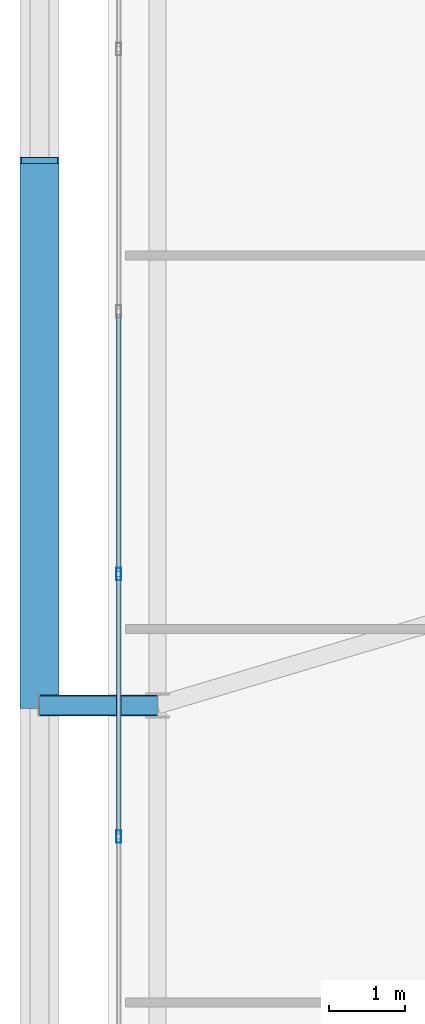
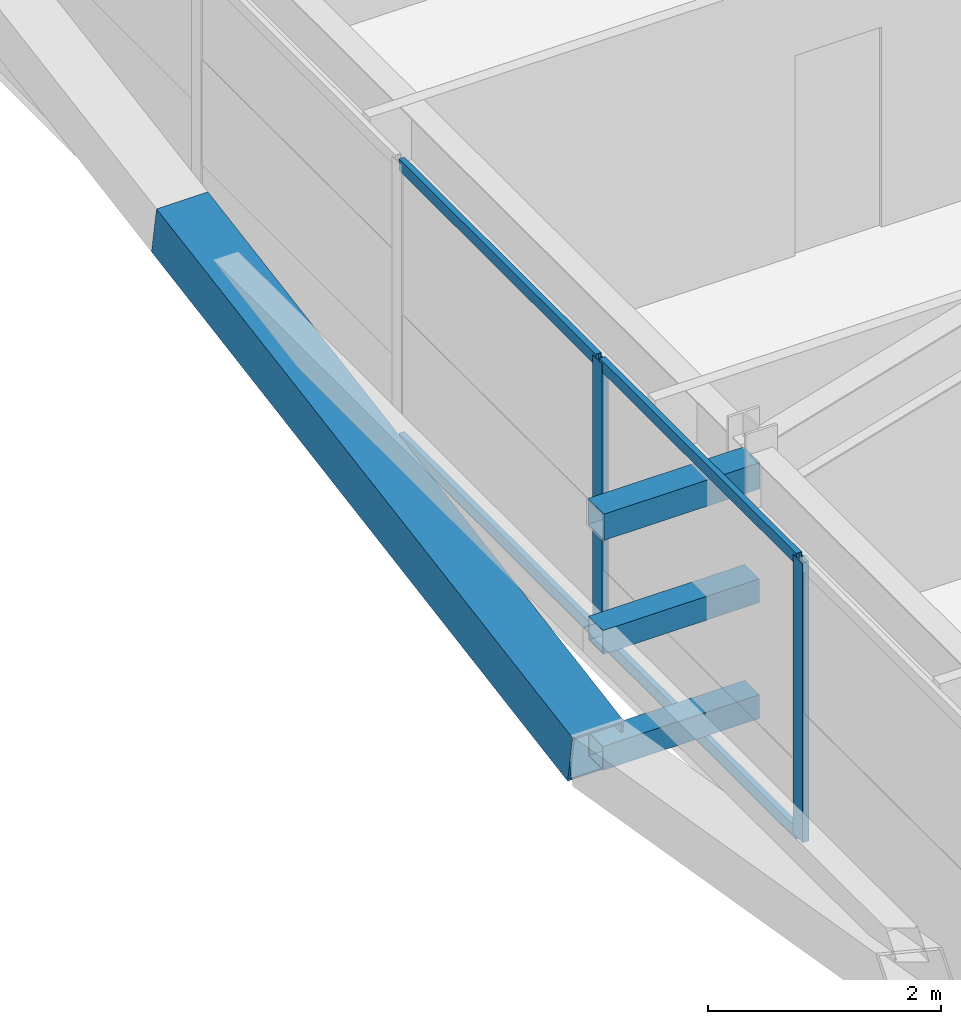
# One storey, part 14 of 58: 10 members, 1 element without a shape of its own.
"""IFC4 building model written with IfcOpenShell, lengths in metres."""

from ifc_helpers import new_model, si_unit, direction, frame, origin, origin_2d, place, context, subcontext, project, spatial, hollow_rectangle, extrude, source, transform, mapped, material, layer, layer_set, material_profile, profile_set, type_object, element, aggregate, save


model = new_model("IFC4")

# Units and contexts
model_context = context("Model", 3, precision=1e-05, world=origin(), true_north=direction((0.0, 1.0)))
body_context = subcontext(model_context, "Body", "Model", "MODEL_VIEW")
ifc_project = project(units=[si_unit("LENGTHUNIT", "METRE"), si_unit("AREAUNIT", "SQUARE_METRE"), si_unit("VOLUMEUNIT", "CUBIC_METRE"), si_unit("PLANEANGLEUNIT", "RADIAN"), si_unit("MASSUNIT", "GRAM", prefix="KILO")], contexts=[model_context])

# Site, building, storey
site_placement = place(None, origin())
site = spatial("IfcSite", under=ifc_project, at=site_placement, CompositionType="ELEMENT")
building_placement = place(site_placement, origin())
building = spatial("IfcBuilding", under=site, at=building_placement, Name="Taldren Reach Tower", CompositionType="ELEMENT")
storey_placement = place(building_placement, frame((0.0, 0.0, 32.550048828125)))
storey = spatial("IfcBuildingStorey", under=building, at=storey_placement, Name="L09", CompositionType="ELEMENT", Elevation=32.550048828125)

# Members
ifc_material_1 = material(Name="Steel Gr 450 (C450L0)", Category="steel")
ifc_material_profile_1 = material_profile(ifc_material_1, hollow_rectangle(XDim=0.27490234375, YDim=0.27490234375, WallThickness=0.00927734375, at=origin_2d()), Name="275x275x9.3SHS")
ifc_profile_set_1 = profile_set([ifc_material_profile_1], Name="Steel Gr 450 (C450L0)")
member_type_1 = type_object("IfcMemberType", Name="MB-TIE273", PredefinedType="STRUT", material=ifc_profile_set_1)
shared_shape_1 = source(origin(), body_context, "Body", "SweptSolid", [
    extrude(hollow_rectangle(XDim=0.27490234375, YDim=0.27490234375, WallThickness=0.00927734375, at=origin_2d()), origin(), (0.0, 0.0, 1.0), 1.5498046875),
])
member_1_placement = place(storey_placement, frame((5.64990234375, 20.0, 2.64990234375), z_axis=(-1.0, 0.0, 0.0), x_axis=(0.0, -1.0, 0.0)))
element("IfcMember", 1, at=member_1_placement, inside=storey, type_object=member_type_1, Name="Exoskeleton diaphragm tie strut B1-W2 L09", PredefinedType="STRUT", context=body_context, shape_type="MappedRepresentation", body=[
    mapped(shared_shape_1, transform((0.0, 0.0, 0.0), scale=1.0)),
])
ifc_material_2 = material(Name="Steel Gr 350 (C350L0)", Category="steel")
ifc_material_profile_2 = material_profile(ifc_material_2, hollow_rectangle(XDim=0.25, YDim=0.25, WallThickness=0.010009765625, at=origin_2d()), Name="250x250x10.0SHS")
ifc_profile_set_2 = profile_set([ifc_material_profile_2], Name="Steel Gr 350 (C350L0)")
member_type_2 = type_object("IfcMemberType", Name="MB-POST250", PredefinedType="POST", material=ifc_profile_set_2)
shared_shape_2 = source(origin(), body_context, "Body", "SweptSolid", [
    extrude(hollow_rectangle(XDim=0.25, YDim=0.25, WallThickness=0.010009765625, at=origin_2d()), origin(), (0.0, 0.0, 1.0), 1.5498046875),
])
for number, where, z_axis, x_axis, name in (
    (2, (5.64990234375, 20.0, 0.219970703125), (-1.0, 0.0, 0.0), (0.0, -1.0, 0.0), "Exoskeleton base diaphragm tie strut B1-W2 L09"),
    (3, (5.64990234375, 20.0, 1.43505859375), (-1.0, 0.0, 0.0), (0.0, -1.0, 0.0), "Exoskeleton mid-tier diaphragm tie B1-W2 L09"),
):
    element("IfcMember", number, at=place(storey_placement, frame(where, z_axis=z_axis, x_axis=x_axis)), inside=storey, type_object=member_type_2, Name=name, PredefinedType="POST", context=body_context, shape_type="MappedRepresentation", body=[
        mapped(shared_shape_2, transform((0.0, 0.0, 0.0), scale=1.0)),
    ])
ifc_material_profile_3 = material_profile(ifc_material_1, hollow_rectangle(XDim=0.510009765625, YDim=0.510009765625, WallThickness=0.02001953125, at=origin_2d()), Name="510x510x20.0SHS")
ifc_profile_set_3 = profile_set([ifc_material_profile_3], Name="Steel Gr 450 (C450L0)")
member_type_3 = type_object("IfcMemberType", Name="MB-EXO508", PredefinedType="BRACE", material=ifc_profile_set_3)
shared_shape_3 = source(origin(), body_context, "Body", "SweptSolid", [
    extrude(hollow_rectangle(XDim=0.510009765625, YDim=0.510009765625, WallThickness=0.02001953125, at=origin_2d()), origin(), (0.0, 0.0, 1.0), 7.25244140625),
])
member_2_placement = place(storey_placement, frame((4.10009765625, 20.0, 0.219970703125), z_axis=(0.0, 0.985864855729, 0.167542490848), x_axis=(-1.0, 0.0, 0.0)))
element("IfcMember", 4, at=member_2_placement, inside=storey, type_object=member_type_3, Name="Exoskeleton Diagrid Brace B1-W2 L09", PredefinedType="BRACE", context=body_context, shape_type="MappedRepresentation", body=[
    mapped(shared_shape_3, transform((0.0, 0.0, 0.0), scale=1.0)),
])

# Curtain wall, members
ifc_material_3 = material(Name="Aluminium and Low-E Glass Unitised System", Category="aluminium")
ifc_layer = layer(ifc_material_3, 0.159912109375)
ifc_layer_set = layer_set([ifc_layer], Name="Aluminium and Low-E Glass Unitised System")
curtain_wall_type = type_object("IfcCurtainWallType", Name="CW-SYS-2", PredefinedType="NOTDEFINED", material=ifc_layer_set)
curtain_wall_placement = place(storey_placement, origin())
curtain_wall = element("IfcCurtainWall", 5, at=curtain_wall_placement, inside=storey, type_object=curtain_wall_type, Name="Unitised curtain wall CW-L09-W", PredefinedType="NOTDEFINED")
ifc_material_4 = material(Name="Anodised Aluminium 6063-T6", Category="aluminium")
ifc_material_profile_4 = material_profile(ifc_material_4, hollow_rectangle(XDim=0.06494140625, YDim=0.1650390625, WallThickness=0.00390625, at=origin_2d()), Name="ALU-165x65x4RHS")
ifc_profile_set_4 = profile_set([ifc_material_profile_4], Name="Anodised Aluminium 6063-T6")
member_type_4 = type_object("IfcMemberType", Name="CW-MUL-165", PredefinedType="MULLION", material=ifc_profile_set_4)
shared_shape_4 = source(origin(), body_context, "Body", "SweptSolid", [
    extrude(hollow_rectangle(XDim=0.06494140625, YDim=0.1650390625, WallThickness=0.00390625, at=origin_2d()), origin(), (0.0, 0.0, 1.0), 2.929931640625),
])
member_3_placement = place(storey_placement, frame((5.139892578125, 21.72216796875, 0.0), z_axis=(0.0, 0.0, 1.0), x_axis=(1.0, 0.0, 0.0)))
member_3 = element("IfcMember", 6, at=member_3_placement, type_object=member_type_4, Name="CW-2 mullion 5", PredefinedType="MULLION", context=body_context, shape_type="MappedRepresentation", body=[
    mapped(shared_shape_4, transform((0.0, 0.0, 0.0), scale=1.0)),
])
member_4_placement = place(storey_placement, frame((5.139892578125, 18.27783203125, 0.0), z_axis=(0.0, 0.0, 1.0), x_axis=(1.0, 0.0, 0.0)))
member_4 = element("IfcMember", 7, at=member_4_placement, type_object=member_type_4, Name="CW-2 mullion 6", PredefinedType="MULLION", context=body_context, shape_type="MappedRepresentation", body=[
    mapped(shared_shape_4, transform((0.0, 0.0, 0.0), scale=1.0)),
])
ifc_material_profile_5 = material_profile(ifc_material_4, hollow_rectangle(XDim=0.054931640625, YDim=0.1201171875, WallThickness=0.0029296875, at=origin_2d()), Name="ALU-120x55x3RHS")
ifc_profile_set_5 = profile_set([ifc_material_profile_5], Name="Anodised Aluminium 6063-T6")
member_type_5 = type_object("IfcMemberType", Name="CW-TRN-135", PredefinedType="USERDEFINED", material=ifc_profile_set_5)
shared_shape_5 = source(origin(), body_context, "Body", "SweptSolid", [
    extrude(hollow_rectangle(XDim=0.054931640625, YDim=0.1201171875, WallThickness=0.0029296875, at=origin_2d()), origin(), (0.0, 0.0, 1.0), 3.37939453125),
])
member_5_placement = place(storey_placement, frame((5.139892578125, 21.689697265625, 0.02734375), z_axis=(0.0, -1.0, 0.0), x_axis=(1.0, 0.0, 0.0)))
member_5 = element("IfcMember", 8, at=member_5_placement, type_object=member_type_5, Name="CW-2 transom 5.1", ObjectType="TRANSOM", PredefinedType="USERDEFINED", context=body_context, shape_type="MappedRepresentation", body=[
    mapped(shared_shape_5, transform((0.0, 0.0, 0.0), scale=1.0)),
])
member_6_placement = place(storey_placement, frame((5.139892578125, 21.689697265625, 2.90234375), z_axis=(0.0, -1.0, 0.0), x_axis=(1.0, 0.0, 0.0)))
member_6 = element("IfcMember", 9, at=member_6_placement, type_object=member_type_5, Name="CW-2 transom 5.2", ObjectType="TRANSOM", PredefinedType="USERDEFINED", context=body_context, shape_type="MappedRepresentation", body=[
    mapped(shared_shape_5, transform((0.0, 0.0, 0.0), scale=1.0)),
])
shared_shape_6 = source(origin(), body_context, "Body", "SweptSolid", [
    extrude(hollow_rectangle(XDim=0.054931640625, YDim=0.1201171875, WallThickness=0.0029296875, at=origin_2d()), origin(), (0.0, 0.0, 1.0), 3.379638671875),
])
member_7_placement = place(storey_placement, frame((5.139892578125, 25.13427734375, 0.02734375), z_axis=(0.0, -1.0, 0.0), x_axis=(1.0, 0.0, 0.0)))
member_7 = element("IfcMember", 10, at=member_7_placement, type_object=member_type_5, Name="CW-2 transom 4.1", ObjectType="TRANSOM", PredefinedType="USERDEFINED", context=body_context, shape_type="MappedRepresentation", body=[
    mapped(shared_shape_6, transform((0.0, 0.0, 0.0), scale=1.0)),
])
member_8_placement = place(storey_placement, frame((5.139892578125, 25.13427734375, 2.90234375), z_axis=(0.0, -1.0, 0.0), x_axis=(1.0, 0.0, 0.0)))
member_8 = element("IfcMember", 11, at=member_8_placement, type_object=member_type_5, Name="CW-2 transom 4.2", ObjectType="TRANSOM", PredefinedType="USERDEFINED", context=body_context, shape_type="MappedRepresentation", body=[
    mapped(shared_shape_6, transform((0.0, 0.0, 0.0), scale=1.0)),
])
aggregate(curtain_wall, [member_3, member_4, member_7, member_8, member_5, member_6])

save(model, "model.ifc")
